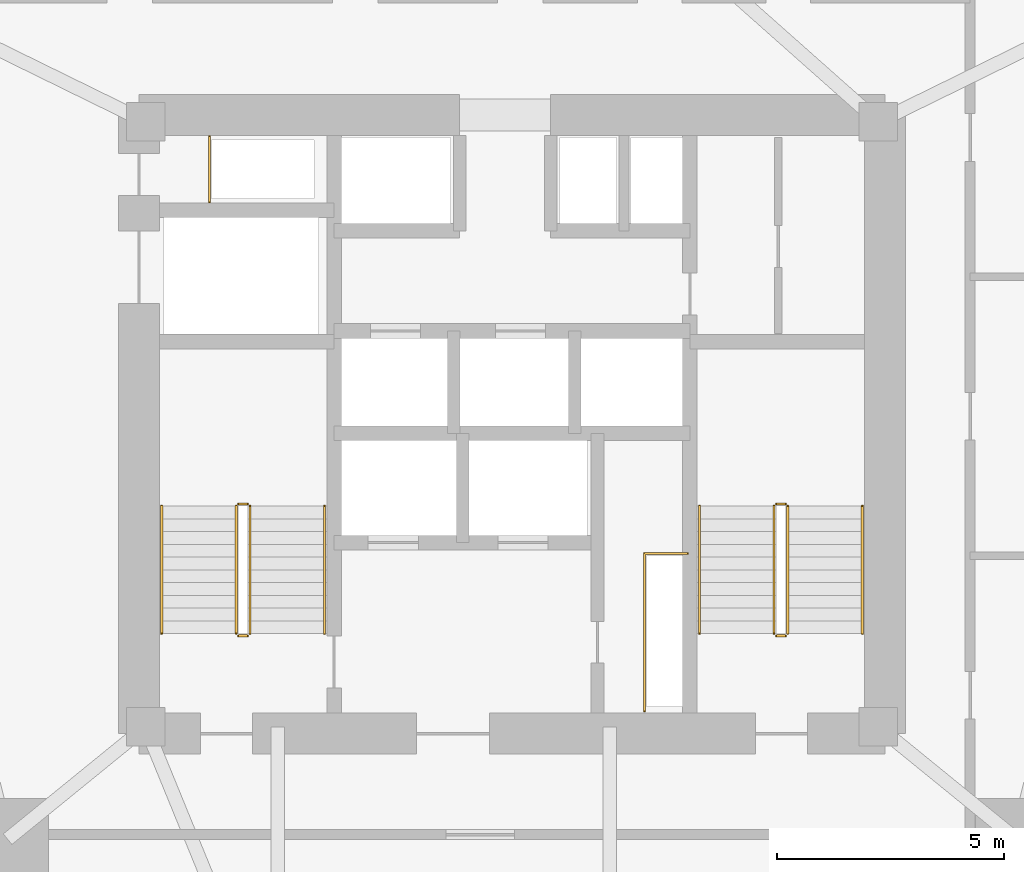
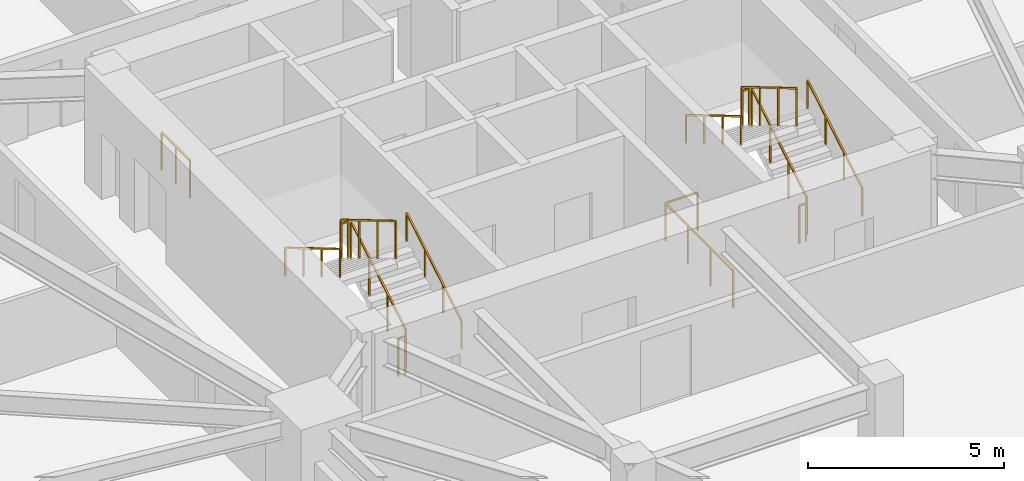
# One storey, part 20 of 20: 14 railings.
"""IFC4 building model written with IfcOpenShell, lengths in metres."""

from ifc_helpers import new_model, si_unit, direction, frame, origin, origin_2d, place, context, subcontext, project, spatial, rectangle, extrude, material, type_object, element, save


model = new_model("IFC4")

# Units and contexts
model_context = context("Model", 3, precision=1e-05, world=origin(), true_north=direction((0.0, 1.0)))
body_context = subcontext(model_context, "Body", "Model", "MODEL_VIEW")
ifc_project = project(units=[si_unit("LENGTHUNIT", "METRE"), si_unit("AREAUNIT", "SQUARE_METRE"), si_unit("VOLUMEUNIT", "CUBIC_METRE"), si_unit("PLANEANGLEUNIT", "RADIAN"), si_unit("MASSUNIT", "GRAM", prefix="KILO")], contexts=[model_context])

# Site, building, storey
site_placement = place(None, origin())
site = spatial("IfcSite", under=ifc_project, at=site_placement, CompositionType="ELEMENT")
building_placement = place(site_placement, origin())
building = spatial("IfcBuilding", under=site, at=building_placement, Name="Talyreon Biosciences Tower", CompositionType="ELEMENT")
storey_placement = place(building_placement, frame((0.0, 0.0, 41.050048828125)))
storey = spatial("IfcBuildingStorey", under=building, at=storey_placement, Name="L10", CompositionType="ELEMENT", Elevation=41.050048828125)

# Railings
ifc_material_1 = material(Name="Brushed stainless-steel tubular handrail", Category="steel")
railing_type_1 = type_object("IfcRailingType", Name="StairWallHandrail_900", PredefinedType="HANDRAIL", material=ifc_material_1)
railing_1_placement = place(storey_placement, frame((61.8798828125, 63.39990234375, 0.165771484375)))
element("IfcRailing", 1, at=railing_1_placement, inside=storey, type_object=railing_type_1, Name="L10 ST-1 stair handrail 1", PredefinedType="HANDRAIL", context=body_context, shape_type="SweptSolid", body=[
    extrude(rectangle(XDim=0.048095703125, YDim=0.048095703125, at=origin_2d()), frame((0.0, 0.0, 0.8759765625), z_axis=(0.0, 0.860306154799, 0.50977771628), x_axis=(-1.0, 0.0, 0.0)), (0.0, 0.0, 1.0), 3.254638671875),
    extrude(rectangle(XDim=0.0419921875, YDim=0.0419921875, at=origin_2d()), origin(), (0.0, 0.0, 1.0), 0.851806640625),
    extrude(rectangle(XDim=0.0419921875, YDim=0.0419921875, at=origin_2d()), frame((0.0, 0.933349609375, 0.552978515625)), (0.0, 0.0, 1.0), 0.851806640625),
    extrude(rectangle(XDim=0.0419921875, YDim=0.0419921875, at=origin_2d()), frame((0.0, 1.86669921875, 1.106201171875)), (0.0, 0.0, 1.0), 0.851806640625),
    extrude(rectangle(XDim=0.0419921875, YDim=0.0419921875, at=origin_2d()), frame((0.0, 2.800048828125, 1.6591796875)), (0.0, 0.0, 1.0), 0.851806640625),
])
railing_2_placement = place(storey_placement, frame((58.300048828125, 66.199951171875, 1.990966796875)))
element("IfcRailing", 2, at=railing_2_placement, inside=storey, type_object=railing_type_1, Name="L10 ST-1 stair handrail 2", PredefinedType="HANDRAIL", context=body_context, shape_type="SweptSolid", body=[
    extrude(rectangle(XDim=0.048095703125, YDim=0.048095703125, at=origin_2d()), frame((0.0, 0.0, 0.8759765625), z_axis=(0.0, -0.860339051648, 0.50972219513), x_axis=(1.0, 0.0, 0.0)), (0.0, 0.0, 1.0), 3.254638671875),
    extrude(rectangle(XDim=0.0419921875, YDim=0.0419921875, at=origin_2d()), origin(), (0.0, 0.0, 1.0), 0.851806640625),
    extrude(rectangle(XDim=0.0419921875, YDim=0.0419921875, at=origin_2d()), frame((0.0, -0.933349609375, 0.552978515625)), (0.0, 0.0, 1.0), 0.851806640625),
    extrude(rectangle(XDim=0.0419921875, YDim=0.0419921875, at=origin_2d()), frame((0.0, -1.86669921875, 1.10595703125)), (0.0, 0.0, 1.0), 0.851806640625),
    extrude(rectangle(XDim=0.0419921875, YDim=0.0419921875, at=origin_2d()), frame((0.0, -2.800048828125, 1.658935546875)), (0.0, 0.0, 1.0), 0.851806640625),
])
railing_3_placement = place(storey_placement, frame((73.699951171875, 63.39990234375, 0.165771484375)))
element("IfcRailing", 3, at=railing_3_placement, inside=storey, type_object=railing_type_1, Name="L10 ST-2 stair handrail 1", PredefinedType="HANDRAIL", context=body_context, shape_type="SweptSolid", body=[
    extrude(rectangle(XDim=0.048095703125, YDim=0.048095703125, at=origin_2d()), frame((0.0, 0.0, 0.8759765625), z_axis=(0.0, 0.860306154799, 0.50977771628), x_axis=(-1.0, 0.0, 0.0)), (0.0, 0.0, 1.0), 3.254638671875),
    extrude(rectangle(XDim=0.0419921875, YDim=0.0419921875, at=origin_2d()), origin(), (0.0, 0.0, 1.0), 0.851806640625),
    extrude(rectangle(XDim=0.0419921875, YDim=0.0419921875, at=origin_2d()), frame((0.0, 0.933349609375, 0.552978515625)), (0.0, 0.0, 1.0), 0.851806640625),
    extrude(rectangle(XDim=0.0419921875, YDim=0.0419921875, at=origin_2d()), frame((0.0, 1.86669921875, 1.106201171875)), (0.0, 0.0, 1.0), 0.851806640625),
    extrude(rectangle(XDim=0.0419921875, YDim=0.0419921875, at=origin_2d()), frame((0.0, 2.800048828125, 1.6591796875)), (0.0, 0.0, 1.0), 0.851806640625),
])
railing_4_placement = place(storey_placement, frame((70.1201171875, 66.199951171875, 1.990966796875)))
element("IfcRailing", 4, at=railing_4_placement, inside=storey, type_object=railing_type_1, Name="L10 ST-2 stair handrail 2", PredefinedType="HANDRAIL", context=body_context, shape_type="SweptSolid", body=[
    extrude(rectangle(XDim=0.048095703125, YDim=0.048095703125, at=origin_2d()), frame((0.0, 0.0, 0.8759765625), z_axis=(0.0, -0.860339051648, 0.50972219513), x_axis=(1.0, 0.0, 0.0)), (0.0, 0.0, 1.0), 3.254638671875),
    extrude(rectangle(XDim=0.0419921875, YDim=0.0419921875, at=origin_2d()), origin(), (0.0, 0.0, 1.0), 0.851806640625),
    extrude(rectangle(XDim=0.0419921875, YDim=0.0419921875, at=origin_2d()), frame((0.0, -0.933349609375, 0.552978515625)), (0.0, 0.0, 1.0), 0.851806640625),
    extrude(rectangle(XDim=0.0419921875, YDim=0.0419921875, at=origin_2d()), frame((0.0, -1.86669921875, 1.10595703125)), (0.0, 0.0, 1.0), 0.851806640625),
    extrude(rectangle(XDim=0.0419921875, YDim=0.0419921875, at=origin_2d()), frame((0.0, -2.800048828125, 1.658935546875)), (0.0, 0.0, 1.0), 0.851806640625),
])
ifc_material_2 = material(Name="Painted galvanised steel post-and-rail balustrade", Category="steel")
railing_type_2 = type_object("IfcRailingType", Name="TerraceStairGuard_1200", PredefinedType="GUARDRAIL", material=ifc_material_2)
railing_5_placement = place(storey_placement, frame((60.239990234375, 63.39990234375, 0.165771484375)))
element("IfcRailing", 5, at=railing_5_placement, inside=storey, type_object=railing_type_2, Name="L10 ST-1 stair guard 1", PredefinedType="GUARDRAIL", context=body_context, shape_type="SweptSolid", body=[
    extrude(rectangle(XDim=0.048095703125, YDim=0.048095703125, at=origin_2d()), frame((0.0, 0.0, 1.17578125), z_axis=(0.0, 0.860306154799, 0.50977771628), x_axis=(-1.0, 0.0, 0.0)), (0.0, 0.0, 1.0), 3.254638671875),
    extrude(rectangle(XDim=0.0419921875, YDim=0.0419921875, at=origin_2d()), origin(), (0.0, 0.0, 1.0), 1.15185546875),
    extrude(rectangle(XDim=0.0419921875, YDim=0.0419921875, at=origin_2d()), frame((0.0, 0.933349609375, 0.552978515625)), (0.0, 0.0, 1.0), 1.15185546875),
    extrude(rectangle(XDim=0.0419921875, YDim=0.0419921875, at=origin_2d()), frame((0.0, 1.86669921875, 1.106201171875)), (0.0, 0.0, 1.0), 1.15185546875),
    extrude(rectangle(XDim=0.0419921875, YDim=0.0419921875, at=origin_2d()), frame((0.0, 2.800048828125, 1.6591796875)), (0.0, 0.0, 1.0), 1.15185546875),
])
railing_6_placement = place(storey_placement, frame((60.18994140625, 66.25, 1.824951171875)))
element("IfcRailing", 6, at=railing_6_placement, inside=storey, type_object=railing_type_2, Name="L10 ST-1 stair guard 2", PredefinedType="GUARDRAIL", context=body_context, shape_type="SweptSolid", body=[
    extrude(rectangle(XDim=0.048095703125, YDim=0.048095703125, at=origin_2d()), frame((0.0, 0.0, 1.17578125), z_axis=(-1.0, 0.0, 0.0), x_axis=(0.0, -1.0, 0.0)), (0.0, 0.0, 1.0), 0.199951171875),
    extrude(rectangle(XDim=0.0419921875, YDim=0.0419921875, at=origin_2d()), origin(), (0.0, 0.0, 1.0), 1.15185546875),
    extrude(rectangle(XDim=0.0419921875, YDim=0.0419921875, at=origin_2d()), frame((-0.199951171875, 0.0, 0.0)), (0.0, 0.0, 1.0), 1.15185546875),
])
railing_7_placement = place(storey_placement, frame((59.93994140625, 66.199951171875, 1.990966796875)))
element("IfcRailing", 7, at=railing_7_placement, inside=storey, type_object=railing_type_2, Name="L10 ST-1 stair guard 3", PredefinedType="GUARDRAIL", context=body_context, shape_type="SweptSolid", body=[
    extrude(rectangle(XDim=0.048095703125, YDim=0.048095703125, at=origin_2d()), frame((0.0, 0.0, 1.17578125), z_axis=(0.0, -0.860339051648, 0.50972219513), x_axis=(1.0, 0.0, 0.0)), (0.0, 0.0, 1.0), 3.254638671875),
    extrude(rectangle(XDim=0.0419921875, YDim=0.0419921875, at=origin_2d()), origin(), (0.0, 0.0, 1.0), 1.15185546875),
    extrude(rectangle(XDim=0.0419921875, YDim=0.0419921875, at=origin_2d()), frame((0.0, -0.933349609375, 0.552978515625)), (0.0, 0.0, 1.0), 1.15185546875),
    extrude(rectangle(XDim=0.0419921875, YDim=0.0419921875, at=origin_2d()), frame((0.0, -1.86669921875, 1.10595703125)), (0.0, 0.0, 1.0), 1.15185546875),
    extrude(rectangle(XDim=0.0419921875, YDim=0.0419921875, at=origin_2d()), frame((0.0, -2.800048828125, 1.658935546875)), (0.0, 0.0, 1.0), 1.15185546875),
])
railing_8_placement = place(storey_placement, frame((60.18994140625, 63.35009765625, 0.0)))
element("IfcRailing", 8, at=railing_8_placement, inside=storey, type_object=railing_type_2, Name="L10 ST-1 stair guard 4", PredefinedType="GUARDRAIL", context=body_context, shape_type="SweptSolid", body=[
    extrude(rectangle(XDim=0.048095703125, YDim=0.048095703125, at=origin_2d()), frame((0.0, 0.0, 1.17578125), z_axis=(-1.0, 0.0, 0.0), x_axis=(0.0, -1.0, 0.0)), (0.0, 0.0, 1.0), 0.199951171875),
    extrude(rectangle(XDim=0.0419921875, YDim=0.0419921875, at=origin_2d()), origin(), (0.0, 0.0, 1.0), 1.15185546875),
    extrude(rectangle(XDim=0.0419921875, YDim=0.0419921875, at=origin_2d()), frame((-0.199951171875, 0.0, 0.0)), (0.0, 0.0, 1.0), 1.15185546875),
])
railing_9_placement = place(storey_placement, frame((72.06005859375, 63.39990234375, 0.165771484375)))
element("IfcRailing", 9, at=railing_9_placement, inside=storey, type_object=railing_type_2, Name="L10 ST-2 stair guard 1", PredefinedType="GUARDRAIL", context=body_context, shape_type="SweptSolid", body=[
    extrude(rectangle(XDim=0.048095703125, YDim=0.048095703125, at=origin_2d()), frame((0.0, 0.0, 1.17578125), z_axis=(0.0, 0.860306154799, 0.50977771628), x_axis=(-1.0, 0.0, 0.0)), (0.0, 0.0, 1.0), 3.254638671875),
    extrude(rectangle(XDim=0.0419921875, YDim=0.0419921875, at=origin_2d()), origin(), (0.0, 0.0, 1.0), 1.15185546875),
    extrude(rectangle(XDim=0.0419921875, YDim=0.0419921875, at=origin_2d()), frame((0.0, 0.933349609375, 0.552978515625)), (0.0, 0.0, 1.0), 1.15185546875),
    extrude(rectangle(XDim=0.0419921875, YDim=0.0419921875, at=origin_2d()), frame((0.0, 1.86669921875, 1.106201171875)), (0.0, 0.0, 1.0), 1.15185546875),
    extrude(rectangle(XDim=0.0419921875, YDim=0.0419921875, at=origin_2d()), frame((0.0, 2.800048828125, 1.6591796875)), (0.0, 0.0, 1.0), 1.15185546875),
])
railing_10_placement = place(storey_placement, frame((72.010009765625, 66.25, 1.824951171875)))
element("IfcRailing", 10, at=railing_10_placement, inside=storey, type_object=railing_type_2, Name="L10 ST-2 stair guard 2", PredefinedType="GUARDRAIL", context=body_context, shape_type="SweptSolid", body=[
    extrude(rectangle(XDim=0.048095703125, YDim=0.048095703125, at=origin_2d()), frame((0.0, 0.0, 1.17578125), z_axis=(-1.0, 0.0, 0.0), x_axis=(0.0, -1.0, 0.0)), (0.0, 0.0, 1.0), 0.199951171875),
    extrude(rectangle(XDim=0.0419921875, YDim=0.0419921875, at=origin_2d()), origin(), (0.0, 0.0, 1.0), 1.15185546875),
    extrude(rectangle(XDim=0.0419921875, YDim=0.0419921875, at=origin_2d()), frame((-0.199951171875, 0.0, 0.0)), (0.0, 0.0, 1.0), 1.15185546875),
])
railing_11_placement = place(storey_placement, frame((71.760009765625, 66.199951171875, 1.990966796875)))
element("IfcRailing", 11, at=railing_11_placement, inside=storey, type_object=railing_type_2, Name="L10 ST-2 stair guard 3", PredefinedType="GUARDRAIL", context=body_context, shape_type="SweptSolid", body=[
    extrude(rectangle(XDim=0.048095703125, YDim=0.048095703125, at=origin_2d()), frame((0.0, 0.0, 1.17578125), z_axis=(0.0, -0.860339051648, 0.50972219513), x_axis=(1.0, 0.0, 0.0)), (0.0, 0.0, 1.0), 3.254638671875),
    extrude(rectangle(XDim=0.0419921875, YDim=0.0419921875, at=origin_2d()), origin(), (0.0, 0.0, 1.0), 1.15185546875),
    extrude(rectangle(XDim=0.0419921875, YDim=0.0419921875, at=origin_2d()), frame((0.0, -0.933349609375, 0.552978515625)), (0.0, 0.0, 1.0), 1.15185546875),
    extrude(rectangle(XDim=0.0419921875, YDim=0.0419921875, at=origin_2d()), frame((0.0, -1.86669921875, 1.10595703125)), (0.0, 0.0, 1.0), 1.15185546875),
    extrude(rectangle(XDim=0.0419921875, YDim=0.0419921875, at=origin_2d()), frame((0.0, -2.800048828125, 1.658935546875)), (0.0, 0.0, 1.0), 1.15185546875),
])
railing_12_placement = place(storey_placement, frame((72.010009765625, 63.35009765625, 0.0)))
element("IfcRailing", 12, at=railing_12_placement, inside=storey, type_object=railing_type_2, Name="L10 ST-2 stair guard 4", PredefinedType="GUARDRAIL", context=body_context, shape_type="SweptSolid", body=[
    extrude(rectangle(XDim=0.048095703125, YDim=0.048095703125, at=origin_2d()), frame((0.0, 0.0, 1.17578125), z_axis=(-1.0, 0.0, 0.0), x_axis=(0.0, -1.0, 0.0)), (0.0, 0.0, 1.0), 0.199951171875),
    extrude(rectangle(XDim=0.0419921875, YDim=0.0419921875, at=origin_2d()), origin(), (0.0, 0.0, 1.0), 1.15185546875),
    extrude(rectangle(XDim=0.0419921875, YDim=0.0419921875, at=origin_2d()), frame((-0.199951171875, 0.0, 0.0)), (0.0, 0.0, 1.0), 1.15185546875),
])
railing_13_placement = place(storey_placement, frame((59.35009765625, 72.8798828125, 0.0)))
element("IfcRailing", 13, at=railing_13_placement, inside=storey, type_object=railing_type_2, Name="L10 Exhaust Riser Maintenance Guardrail", PredefinedType="GUARDRAIL", context=body_context, shape_type="SweptSolid", body=[
    extrude(rectangle(XDim=0.048095703125, YDim=0.048095703125, at=origin_2d()), frame((0.0, 0.0, 1.17578125), z_axis=(0.0, 1.0, 0.0), x_axis=(-1.0, 0.0, 0.0)), (0.0, 0.0, 1.0), 1.4501953125),
    extrude(rectangle(XDim=0.0419921875, YDim=0.0419921875, at=origin_2d()), origin(), (0.0, 0.0, 1.0), 1.15185546875),
    extrude(rectangle(XDim=0.0419921875, YDim=0.0419921875, at=origin_2d()), frame((0.0, 0.72509765625, 0.0)), (0.0, 0.0, 1.0), 1.15185546875),
    extrude(rectangle(XDim=0.0419921875, YDim=0.0419921875, at=origin_2d()), frame((0.0, 1.4501953125, 0.0)), (0.0, 0.0, 1.0), 1.15185546875),
])
railing_14_placement = place(storey_placement, frame((68.909912109375, 61.699951171875, 0.0)))
element("IfcRailing", 14, at=railing_14_placement, inside=storey, type_object=railing_type_2, Name="L10 Electrical Riser Maintenance Guardrail", PredefinedType="GUARDRAIL", context=body_context, shape_type="SweptSolid", body=[
    extrude(rectangle(XDim=0.048095703125, YDim=0.048095703125, at=origin_2d()), frame((0.0, 0.0, 1.17578125), z_axis=(0.0, 1.0, 0.0), x_axis=(-1.0, 0.0, 0.0)), (0.0, 0.0, 1.0), 3.4599609375),
    extrude(rectangle(XDim=0.048095703125, YDim=0.048095703125, at=origin_2d()), frame((0.0, 3.4599609375, 1.17578125), z_axis=(1.0, 0.0, 0.0), x_axis=(0.0, 1.0, 0.0)), (0.0, 0.0, 1.0), 0.9501953125),
    extrude(rectangle(XDim=0.0419921875, YDim=0.0419921875, at=origin_2d()), origin(), (0.0, 0.0, 1.0), 1.15185546875),
    extrude(rectangle(XDim=0.0419921875, YDim=0.0419921875, at=origin_2d()), frame((0.0, 1.1533203125, 0.0)), (0.0, 0.0, 1.0), 1.15185546875),
    extrude(rectangle(XDim=0.0419921875, YDim=0.0419921875, at=origin_2d()), frame((0.0, 2.306640625, 0.0)), (0.0, 0.0, 1.0), 1.15185546875),
    extrude(rectangle(XDim=0.0419921875, YDim=0.0419921875, at=origin_2d()), frame((0.0, 3.4599609375, 0.0)), (0.0, 0.0, 1.0), 1.15185546875),
    extrude(rectangle(XDim=0.0419921875, YDim=0.0419921875, at=origin_2d()), frame((0.9501953125, 3.4599609375, 0.0)), (0.0, 0.0, 1.0), 1.15185546875),
])

save(model, "model.ifc")
